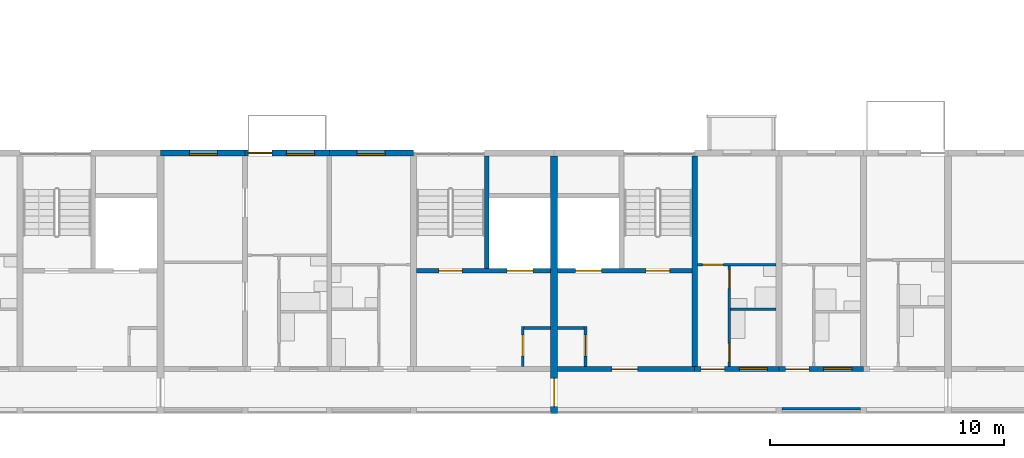
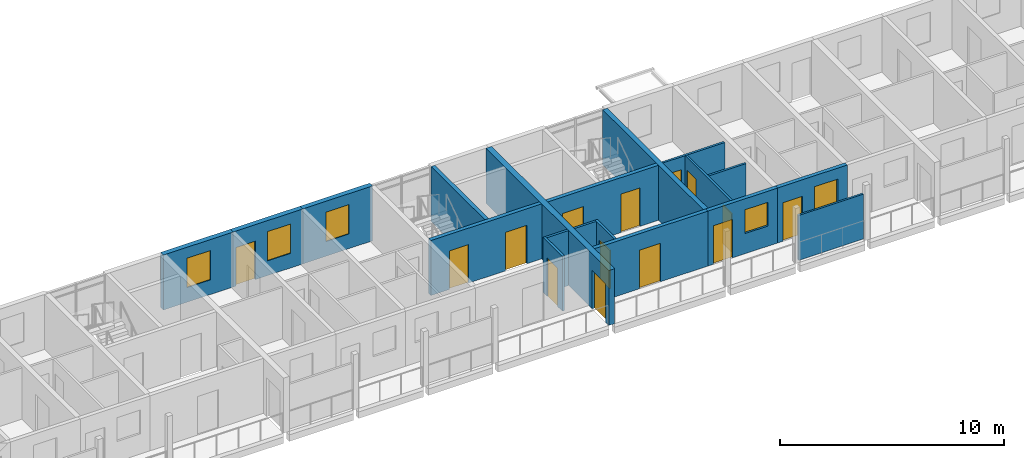
# One storey, part 30 of 99: 19 walls, 14 doors, 5 windows, 19 openings.
"""IFC4 building model written with IfcOpenShell, lengths in metres."""

from ifc_helpers import new_model, si_unit, direction, frame, frame_2d, origin, place, context, subcontext, project, spatial, rectangle, extrude, material, layer, layer_set, type_object, element, fill, save


model = new_model("IFC4")

# Units and contexts
model_context = context("Model", 3, precision=1e-05, world=origin(), true_north=direction((0.0, 1.0)))
body_context = subcontext(model_context, "Body", "Model", "MODEL_VIEW")
ifc_project = project(units=[si_unit("LENGTHUNIT", "METRE"), si_unit("AREAUNIT", "SQUARE_METRE"), si_unit("VOLUMEUNIT", "CUBIC_METRE"), si_unit("PLANEANGLEUNIT", "RADIAN"), si_unit("MASSUNIT", "GRAM", prefix="KILO")], contexts=[model_context])

# Site, building, storey
site_placement = place(None, origin())
site = spatial("IfcSite", under=ifc_project, at=site_placement, CompositionType="ELEMENT")
building_placement = place(site_placement, origin())
building = spatial("IfcBuilding", under=site, at=building_placement, Name="Ridgestep Commons", CompositionType="ELEMENT")
storey_placement = place(building_placement, frame((0.0, 0.0, 15.0)))
storey = spatial("IfcBuildingStorey", under=building, at=storey_placement, Name="L05", CompositionType="ELEMENT", Elevation=15.0)

# Wall
ifc_material_1 = material(Name="Concrete C30/37", Category="concrete")
ifc_layer_1 = layer(ifc_material_1, 0.25)
ifc_layer_set_1 = layer_set([ifc_layer_1], Name="Core cross wall 250")
wall_type_1 = type_object("IfcWallType", Name="Core cross wall 250", PredefinedType="SHEAR", material=ifc_layer_set_1)
wall_1_placement = place(storey_placement, frame((51.60009765625, 13.75, 0.0), z_axis=(0.0, 0.0, 1.0), x_axis=(0.0, 1.0, 0.0)))
element("IfcWall", 1, at=wall_1_placement, inside=storey, type_object=wall_type_1, Name="Cross wall A-05-0516", PredefinedType="SHEAR", context=body_context, shape_type="SweptSolid", body=[
    extrude(rectangle(XDim=9.0, YDim=0.25, at=frame_2d((4.5, 0.0))), origin(), (0.0, 0.0, 1.0), 3.0),
])

# Wall, opening, door
ifc_material_2 = material(Name="Concrete C30/37", Category="concrete")
ifc_layer_2 = layer(ifc_material_2, 0.199951171875)
ifc_layer_set_2 = layer_set([ifc_layer_2], Name="Core south wall 200")
wall_type_2 = type_object("IfcWallType", Name="Core south wall 200", PredefinedType="SHEAR", material=ifc_layer_set_2)
wall_2_placement = place(storey_placement, frame((45.75, 13.64990234375, 0.0), z_axis=(0.0, 0.0, 1.0), x_axis=(1.0, 0.0, 0.0)))
wall_2 = element("IfcWall", 2, at=wall_2_placement, inside=storey, type_object=wall_type_2, Name="Core south wall A3C L05", PredefinedType="SHEAR", context=body_context, shape_type="SweptSolid", body=[
    extrude(rectangle(XDim=5.85009765625, YDim=0.199951171875, at=frame_2d((2.925048828125, 0.0))), origin(), (0.0, 0.0, 1.0), 3.0),
])
opening_1_placement = place(wall_2_placement, frame((2.3125, 0.0, 0.0)))
opening_1 = element("IfcOpeningElement", 3, at=opening_1_placement, cuts=wall_2, Name="Opening A3C/05/1", PredefinedType="OPENING", context=body_context, shape_type="SweptSolid", body=[
    extrude(rectangle(XDim=1.10009765625, YDim=2.10009765625, at=frame_2d((0.550048828125, 1.050048828125))), frame((0.0, 0.10986328125, 0.0), z_axis=(0.0, -1.0, 0.0), x_axis=(1.0, 0.0, 0.0)), (0.0, 0.0, 1.0), 0.219970703125),
])
ifc_material_3 = material(Name="Steel fire door", Category="steel")
door_type_1 = type_object("IfcDoorType", Name="Lobby door 1100 x 2100 FD60", OperationType="NOTDEFINED", PredefinedType="DOOR", material=ifc_material_3)
door_1_placement = place(opening_1_placement, origin())
door_1 = element("IfcDoor", 4, at=door_1_placement, inside=storey, type_object=door_type_1, Name="Lobby door A3C/05/1", OperationType="SINGLE_SWING_LEFT", OverallHeight=2.10009765625, OverallWidth=1.10009765625, PredefinedType="DOOR", context=body_context, shape_type="SweptSolid", body=[
    extrude(rectangle(XDim=1.10009765625, YDim=2.10009765625, at=frame_2d((0.550048828125, 1.050048828125))), frame((0.0, 0.02490234375, 0.0), z_axis=(0.0, -1.0, 0.0), x_axis=(1.0, 0.0, 0.0)), (0.0, 0.0, 1.0), 0.050048828125),
])
fill(opening_1, door_1)

ifc_material_4 = material(Name="Concrete C30/37", Category="concrete")
ifc_layer_3 = layer(ifc_material_4, 0.1201171875)
ifc_layer_set_3 = layer_set([ifc_layer_3], Name="Core wall 120")
wall_type_3 = type_object("IfcWallType", Name="Core wall 120", PredefinedType="SHEAR", material=ifc_layer_set_3)
wall_3_placement = place(storey_placement, frame((44.260009765625, 13.75, 0.0), z_axis=(0.0, 0.0, 1.0), x_axis=(0.0, 1.0, 0.0)))
wall_3 = element("IfcWall", 5, at=wall_3_placement, inside=storey, type_object=wall_type_3, Name="Core riser w wall A2C L05", PredefinedType="SHEAR", context=body_context, shape_type="SweptSolid", body=[
    extrude(rectangle(XDim=1.719970703125, YDim=0.1201171875, at=frame_2d((0.85986328125, 0.0))), origin(), (0.0, 0.0, 1.0), 3.0),
])
opening_2_placement = place(wall_3_placement, frame((0.449951171875, 0.0, 0.0)))
opening_2 = element("IfcOpeningElement", 6, at=opening_2_placement, cuts=wall_3, Name="Opening A2C/05/4", PredefinedType="OPENING", context=body_context, shape_type="SweptSolid", body=[
    extrude(rectangle(XDim=0.89990234375, YDim=2.10009765625, at=frame_2d((0.449951171875, 1.050048828125))), frame((0.0, 0.070068359375, 0.0), z_axis=(0.0, -1.0, 0.0), x_axis=(1.0, 0.0, 0.0)), (0.0, 0.0, 1.0), 0.14013671875),
])
ifc_material_5 = material(Name="Steel fire door", Category="steel")
door_type_2 = type_object("IfcDoorType", Name="Riser door 900 x 2100 FD60", OperationType="NOTDEFINED", PredefinedType="DOOR", material=ifc_material_5)
door_2_placement = place(opening_2_placement, origin())
door_2 = element("IfcDoor", 7, at=door_2_placement, inside=storey, type_object=door_type_2, Name="Riser door A2C/05/4", OperationType="SINGLE_SWING_LEFT", OverallHeight=2.10009765625, OverallWidth=0.89990234375, PredefinedType="DOOR", context=body_context, shape_type="SweptSolid", body=[
    extrude(rectangle(XDim=0.89990234375, YDim=2.10009765625, at=frame_2d((0.449951171875, 1.050048828125))), frame((0.0, 0.02490234375, 0.0), z_axis=(0.0, -1.0, 0.0), x_axis=(1.0, 0.0, 0.0)), (0.0, 0.0, 1.0), 0.050048828125),
])
fill(opening_2, door_2)

# Wall
wall_4_placement = place(storey_placement, frame((44.320068359375, 15.409912109375, 0.0), z_axis=(0.0, 0.0, 1.0), x_axis=(1.0, 0.0, 0.0)))
element("IfcWall", 8, at=wall_4_placement, inside=storey, type_object=wall_type_3, Name="Core riser n wall A2C L05", PredefinedType="SHEAR", context=body_context, shape_type="SweptSolid", body=[
    extrude(rectangle(XDim=1.1298828125, YDim=0.1201171875, at=frame_2d((0.56494140625, 0.0))), origin(), (0.0, 0.0, 1.0), 3.0),
])

# Wall, opening, door
wall_5_placement = place(storey_placement, frame((46.93994140625, 13.75, 0.0), z_axis=(0.0, 0.0, 1.0), x_axis=(0.0, 1.0, 0.0)))
wall_5 = element("IfcWall", 9, at=wall_5_placement, inside=storey, type_object=wall_type_3, Name="Core riser w wall A3C L05", PredefinedType="SHEAR", context=body_context, shape_type="SweptSolid", body=[
    extrude(rectangle(XDim=1.719970703125, YDim=0.1201171875, at=frame_2d((0.85986328125, 0.0))), origin(), (0.0, 0.0, 1.0), 3.0),
])
opening_3_placement = place(wall_5_placement, frame((0.449951171875, 0.0, 0.0)))
opening_3 = element("IfcOpeningElement", 10, at=opening_3_placement, cuts=wall_5, Name="Opening A3C/05/4", PredefinedType="OPENING", context=body_context, shape_type="SweptSolid", body=[
    extrude(rectangle(XDim=0.89990234375, YDim=2.10009765625, at=frame_2d((0.449951171875, 1.050048828125))), frame((0.0, 0.070068359375, 0.0), z_axis=(0.0, -1.0, 0.0), x_axis=(1.0, 0.0, 0.0)), (0.0, 0.0, 1.0), 0.14013671875),
])
door_3_placement = place(opening_3_placement, origin())
door_3 = element("IfcDoor", 11, at=door_3_placement, inside=storey, type_object=door_type_2, Name="Riser door A3C/05/4", OperationType="SINGLE_SWING_RIGHT", OverallHeight=2.10009765625, OverallWidth=0.89990234375, PredefinedType="DOOR", context=body_context, shape_type="SweptSolid", body=[
    extrude(rectangle(XDim=0.89990234375, YDim=2.10009765625, at=frame_2d((0.449951171875, 1.050048828125))), frame((0.0, 0.02490234375, 0.0), z_axis=(0.0, -1.0, 0.0), x_axis=(1.0, 0.0, 0.0)), (0.0, 0.0, 1.0), 0.050048828125),
])
fill(opening_3, door_3)

# Wall
wall_6_placement = place(storey_placement, frame((45.75, 15.409912109375, 0.0), z_axis=(0.0, 0.0, 1.0), x_axis=(1.0, 0.0, 0.0)))
element("IfcWall", 12, at=wall_6_placement, inside=storey, type_object=wall_type_3, Name="Core riser n wall A3C L05", PredefinedType="SHEAR", context=body_context, shape_type="SweptSolid", body=[
    extrude(rectangle(XDim=1.1298828125, YDim=0.1201171875, at=frame_2d((0.56494140625, 0.0))), origin(), (0.0, 0.0, 1.0), 3.0),
])

# Wall, openings, doors
ifc_material_6 = material(Name="Concrete C30/37", Category="concrete")
ifc_layer_4 = layer(ifc_material_6, 0.199951171875)
ifc_layer_set_4 = layer_set([ifc_layer_4], Name="Core wall 200")
wall_type_4 = type_object("IfcWallType", Name="Core wall 200", PredefinedType="SHEAR", material=ifc_layer_set_4)
wall_7_placement = place(storey_placement, frame((39.72509765625, 17.85009765625, 0.0), z_axis=(0.0, 0.0, 1.0), x_axis=(1.0, 0.0, 0.0)))
wall_7 = element("IfcWall", 13, at=wall_7_placement, inside=storey, type_object=wall_type_4, Name="Core lobby wall A2C L05", PredefinedType="SHEAR", context=body_context, shape_type="SweptSolid", body=[
    extrude(rectangle(XDim=5.724853515625, YDim=0.199951171875, at=frame_2d((2.8623046875, 0.0))), origin(), (0.0, 0.0, 1.0), 3.0),
])
opening_4_placement = place(wall_7_placement, frame((0.949951171875, 0.0, 0.0)))
opening_4 = element("IfcOpeningElement", 14, at=opening_4_placement, cuts=wall_7, Name="Opening A2C/05/2", PredefinedType="OPENING", context=body_context, shape_type="SweptSolid", body=[
    extrude(rectangle(XDim=1.0, YDim=2.10009765625, at=frame_2d((0.5, 1.050048828125))), frame((0.0, 0.10986328125, 0.0), z_axis=(0.0, -1.0, 0.0), x_axis=(1.0, 0.0, 0.0)), (0.0, 0.0, 1.0), 0.219970703125),
])
opening_5_placement = place(wall_7_placement, frame((3.862548828125, 0.0, 0.0)))
opening_5 = element("IfcOpeningElement", 15, at=opening_5_placement, cuts=wall_7, Name="Opening A2C/05/3", PredefinedType="OPENING", context=body_context, shape_type="SweptSolid", body=[
    extrude(rectangle(XDim=1.10009765625, YDim=2.10009765625, at=frame_2d((0.550048828125, 1.050048828125))), frame((0.0, 0.10986328125, 0.0), z_axis=(0.0, -1.0, 0.0), x_axis=(1.0, 0.0, 0.0)), (0.0, 0.0, 1.0), 0.219970703125),
])
ifc_material_7 = material(Name="Stainless steel", Category="steel")
door_type_3 = type_object("IfcDoorType", Name="Lift landing door 1100 x 2100 FD60", OperationType="DOUBLE_DOOR_SLIDING", PredefinedType="DOOR", material=ifc_material_7)
door_4_placement = place(opening_5_placement, origin())
door_4 = element("IfcDoor", 16, at=door_4_placement, inside=storey, type_object=door_type_3, Name="Landing door LD A2C L05", OperationType="DOUBLE_DOOR_SLIDING", OverallHeight=2.10009765625, OverallWidth=1.10009765625, PredefinedType="DOOR", context=body_context, shape_type="SweptSolid", body=[
    extrude(rectangle(XDim=1.10009765625, YDim=2.10009765625, at=frame_2d((0.550048828125, 1.050048828125))), frame((0.0, 0.02490234375, 0.0), z_axis=(0.0, -1.0, 0.0), x_axis=(1.0, 0.0, 0.0)), (0.0, 0.0, 1.0), 0.050048828125),
])
fill(opening_5, door_4)
ifc_material_8 = material(Name="Steel fire door", Category="steel")
door_type_4 = type_object("IfcDoorType", Name="Stair door 1000 x 2100 FD60", OperationType="NOTDEFINED", PredefinedType="DOOR", material=ifc_material_8)
door_5_placement = place(opening_4_placement, origin())
door_5 = element("IfcDoor", 17, at=door_5_placement, inside=storey, type_object=door_type_4, Name="Stair door A2C/05/2", OperationType="SINGLE_SWING_RIGHT", OverallHeight=2.10009765625, OverallWidth=1.0, PredefinedType="DOOR", context=body_context, shape_type="SweptSolid", body=[
    extrude(rectangle(XDim=1.0, YDim=2.10009765625, at=frame_2d((0.5, 1.050048828125))), frame((0.0, 0.02490234375, 0.0), z_axis=(0.0, -1.0, 0.0), x_axis=(1.0, 0.0, 0.0)), (0.0, 0.0, 1.0), 0.050048828125),
])
fill(opening_4, door_5)

# Wall
wall_8_placement = place(storey_placement, frame((42.72509765625, 17.949951171875, 0.0), z_axis=(0.0, 0.0, 1.0), x_axis=(0.0, 1.0, 0.0)))
element("IfcWall", 18, at=wall_8_placement, inside=storey, type_object=wall_type_4, Name="Core stair wall A2C L05", PredefinedType="SHEAR", context=body_context, shape_type="SweptSolid", body=[
    extrude(rectangle(XDim=4.800048828125, YDim=0.199951171875, at=frame_2d((2.39990234375, 0.0))), origin(), (0.0, 0.0, 1.0), 3.0),
])

# Wall, openings, doors
wall_9_placement = place(storey_placement, frame((45.75, 17.85009765625, 0.0), z_axis=(0.0, 0.0, 1.0), x_axis=(1.0, 0.0, 0.0)))
wall_9 = element("IfcWall", 19, at=wall_9_placement, inside=storey, type_object=wall_type_4, Name="Core lobby wall A3C L05", PredefinedType="SHEAR", context=body_context, shape_type="SweptSolid", body=[
    extrude(rectangle(XDim=5.72509765625, YDim=0.199951171875, at=frame_2d((2.862548828125, 0.0))), origin(), (0.0, 0.0, 1.0), 3.0),
])
opening_6_placement = place(wall_9_placement, frame((3.77490234375, 0.0, 0.0)))
opening_6 = element("IfcOpeningElement", 20, at=opening_6_placement, cuts=wall_9, Name="Opening A3C/05/2", PredefinedType="OPENING", context=body_context, shape_type="SweptSolid", body=[
    extrude(rectangle(XDim=1.0, YDim=2.10009765625, at=frame_2d((0.5, 1.050048828125))), frame((0.0, 0.10986328125, 0.0), z_axis=(0.0, -1.0, 0.0), x_axis=(1.0, 0.0, 0.0)), (0.0, 0.0, 1.0), 0.219970703125),
])
opening_7_placement = place(wall_9_placement, frame((0.762451171875, 0.0, 0.0)))
opening_7 = element("IfcOpeningElement", 21, at=opening_7_placement, cuts=wall_9, Name="Opening A3C/05/3", PredefinedType="OPENING", context=body_context, shape_type="SweptSolid", body=[
    extrude(rectangle(XDim=1.10009765625, YDim=2.10009765625, at=frame_2d((0.550048828125, 1.050048828125))), frame((0.0, 0.10986328125, 0.0), z_axis=(0.0, -1.0, 0.0), x_axis=(1.0, 0.0, 0.0)), (0.0, 0.0, 1.0), 0.219970703125),
])
door_6_placement = place(opening_7_placement, origin())
door_6 = element("IfcDoor", 22, at=door_6_placement, inside=storey, type_object=door_type_3, Name="Landing door LD A3C L05", OperationType="DOUBLE_DOOR_SLIDING", OverallHeight=2.10009765625, OverallWidth=1.10009765625, PredefinedType="DOOR", context=body_context, shape_type="SweptSolid", body=[
    extrude(rectangle(XDim=1.10009765625, YDim=2.10009765625, at=frame_2d((0.550048828125, 1.050048828125))), frame((0.0, 0.02490234375, 0.0), z_axis=(0.0, -1.0, 0.0), x_axis=(1.0, 0.0, 0.0)), (0.0, 0.0, 1.0), 0.050048828125),
])
fill(opening_7, door_6)
door_7_placement = place(opening_6_placement, origin())
door_7 = element("IfcDoor", 23, at=door_7_placement, inside=storey, type_object=door_type_4, Name="Stair door A3C/05/2", OperationType="SINGLE_SWING_RIGHT", OverallHeight=2.10009765625, OverallWidth=1.0, PredefinedType="DOOR", context=body_context, shape_type="SweptSolid", body=[
    extrude(rectangle(XDim=1.0, YDim=2.10009765625, at=frame_2d((0.5, 1.050048828125))), frame((0.0, 0.02490234375, 0.0), z_axis=(0.0, -1.0, 0.0), x_axis=(1.0, 0.0, 0.0)), (0.0, 0.0, 1.0), 0.050048828125),
])
fill(opening_6, door_7)

# Wall, opening, door
ifc_material_9 = material(Name="Precast concrete C40/50", Category="concrete")
ifc_layer_5 = layer(ifc_material_9, 0.300048828125)
ifc_layer_set_5 = layer_set([ifc_layer_5], Name="Division wall 300")
wall_type_5 = type_object("IfcWallType", Name="Division wall 300", PredefinedType="SHEAR", material=ifc_layer_set_5)
wall_10_placement = place(storey_placement, frame((45.60009765625, 11.75, 0.0), z_axis=(0.0, 0.0, 1.0), x_axis=(0.0, 1.0, 0.0)))
wall_10 = element("IfcWall", 24, at=wall_10_placement, inside=storey, type_object=wall_type_5, Name="Cross wall A-05-0456", PredefinedType="SHEAR", context=body_context, shape_type="SweptSolid", body=[
    extrude(rectangle(XDim=11.0, YDim=0.300048828125, at=frame_2d((5.5, 0.0))), origin(), (0.0, 0.0, 1.0), 3.0),
])
opening_8_placement = place(wall_10_placement, frame((0.300048828125, 0.0, 0.0)))
opening_8 = element("IfcOpeningElement", 25, at=opening_8_placement, cuts=wall_10, Name="Opening A/05/G0456", PredefinedType="OPENING", context=body_context, shape_type="SweptSolid", body=[
    extrude(rectangle(XDim=1.199951171875, YDim=2.10009765625, at=frame_2d((0.60009765625, 1.050048828125))), frame((0.0, 0.159912109375, 0.0), z_axis=(0.0, -1.0, 0.0), x_axis=(1.0, 0.0, 0.0)), (0.0, 0.0, 1.0), 0.320068359375),
])
ifc_material_10 = material(Name="Steel fire door", Category="steel")
door_type_5 = type_object("IfcDoorType", Name="Division fire door 1200 x 2100 EI 240", OperationType="DOUBLE_DOOR_SINGLE_SWING", PredefinedType="DOOR", material=ifc_material_10)
door_8_placement = place(opening_8_placement, origin())
door_8 = element("IfcDoor", 26, at=door_8_placement, inside=storey, type_object=door_type_5, Name="Division fire door A/05/G0456", OperationType="DOUBLE_DOOR_SINGLE_SWING", OverallHeight=2.10009765625, OverallWidth=1.199951171875, PredefinedType="DOOR", context=body_context, shape_type="SweptSolid", body=[
    extrude(rectangle(XDim=1.199951171875, YDim=2.10009765625, at=frame_2d((0.60009765625, 1.050048828125))), frame((0.0, 0.02490234375, 0.0), z_axis=(0.0, -1.0, 0.0), x_axis=(1.0, 0.0, 0.0)), (0.0, 0.0, 1.0), 0.050048828125),
])
fill(opening_8, door_8)

# Wall, opening, window
ifc_material_11 = material(Name="Precast concrete C40/50", Category="concrete")
ifc_layer_6 = layer(ifc_material_11, 0.25)
ifc_layer_set_6 = layer_set([ifc_layer_6], Name="North facade panel 250")
wall_type_6 = type_object("IfcWallType", Name="North facade panel 250", PredefinedType="SOLIDWALL", material=ifc_layer_set_6)
wall_11_placement = place(storey_placement, frame((28.800048828125, 22.875, 0.0), z_axis=(0.0, 0.0, 1.0), x_axis=(1.0, 0.0, 0.0)))
wall_11 = element("IfcWall", 27, at=wall_11_placement, inside=storey, type_object=wall_type_6, Name="North panel A2T1 L05", PredefinedType="SOLIDWALL", context=body_context, shape_type="SweptSolid", body=[
    extrude(rectangle(XDim=3.599853515625, YDim=0.25, at=frame_2d((1.7998046875, 0.0))), origin(), (0.0, 0.0, 1.0), 3.0),
])
opening_9_placement = place(wall_11_placement, frame((1.22509765625, 0.0, 0.800048828125)))
opening_9 = element("IfcOpeningElement", 28, at=opening_9_placement, cuts=wall_11, Name="Opening W11", PredefinedType="OPENING", context=body_context, shape_type="SweptSolid", body=[
    extrude(rectangle(XDim=1.199951171875, YDim=1.60009765625, at=frame_2d((0.60009765625, 0.800048828125))), frame((0.0, 0.135009765625, 0.0), z_axis=(0.0, -1.0, 0.0), x_axis=(1.0, 0.0, 0.0)), (0.0, 0.0, 1.0), 0.27001953125),
])
ifc_material_12 = material(Name="Aluminium 6063-T6 and glass", Category="aluminium")
window_type_1 = type_object("IfcWindowType", Name="Flat window 1200 x 1600", PartitioningType="SINGLE_PANEL", PredefinedType="WINDOW", material=ifc_material_12)
window_1_placement = place(opening_9_placement, origin())
window_1 = element("IfcWindow", 29, at=window_1_placement, inside=storey, type_object=window_type_1, Name="Window A2-05a 2", OverallHeight=1.60009765625, OverallWidth=1.199951171875, PartitioningType="SINGLE_PANEL", PredefinedType="WINDOW", context=body_context, shape_type="SweptSolid", body=[
    extrude(rectangle(XDim=1.199951171875, YDim=1.60009765625, at=frame_2d((0.60009765625, 0.800048828125))), frame((0.0, -0.02490234375, 0.0), z_axis=(0.0, -1.0, 0.0), x_axis=(1.0, 0.0, 0.0)), (0.0, 0.0, 1.0), 0.06005859375),
])
fill(opening_9, window_1)

# Wall, openings, door, window
wall_12_placement = place(storey_placement, frame((32.39990234375, 22.875, 0.0), z_axis=(0.0, 0.0, 1.0), x_axis=(1.0, 0.0, 0.0)))
wall_12 = element("IfcWall", 30, at=wall_12_placement, inside=storey, type_object=wall_type_6, Name="North panel A2T2 L05", PredefinedType="SOLIDWALL", context=body_context, shape_type="SweptSolid", body=[
    extrude(rectangle(XDim=3.60009765625, YDim=0.25, at=frame_2d((1.800048828125, 0.0))), origin(), (0.0, 0.0, 1.0), 3.0),
])
opening_10_placement = place(wall_12_placement, frame((1.77490234375, 0.0, 0.800048828125)))
opening_10 = element("IfcOpeningElement", 31, at=opening_10_placement, cuts=wall_12, Name="Opening W11", PredefinedType="OPENING", context=body_context, shape_type="SweptSolid", body=[
    extrude(rectangle(XDim=1.199951171875, YDim=1.60009765625, at=frame_2d((0.60009765625, 0.800048828125))), frame((0.0, 0.135009765625, 0.0), z_axis=(0.0, -1.0, 0.0), x_axis=(1.0, 0.0, 0.0)), (0.0, 0.0, 1.0), 0.27001953125),
])
opening_11_placement = place(wall_12_placement, frame((0.14990234375, 0.0, 0.0)))
opening_11 = element("IfcOpeningElement", 32, at=opening_11_placement, cuts=wall_12, Name="Opening A2-05a/7", PredefinedType="OPENING", context=body_context, shape_type="SweptSolid", body=[
    extrude(rectangle(XDim=1.0, YDim=2.10009765625, at=frame_2d((0.5, 1.050048828125))), frame((0.0, 0.135009765625, 0.0), z_axis=(0.0, -1.0, 0.0), x_axis=(1.0, 0.0, 0.0)), (0.0, 0.0, 1.0), 0.27001953125),
])
ifc_material_13 = material(Name="Aluminium and glass", Category="aluminium")
door_type_6 = type_object("IfcDoorType", Name="Balcony door 1000 x 2100", OperationType="NOTDEFINED", PredefinedType="DOOR", material=ifc_material_13)
door_9_placement = place(opening_11_placement, origin())
door_9 = element("IfcDoor", 33, at=door_9_placement, inside=storey, type_object=door_type_6, Name="Balcony door A2-05a/7", OperationType="SINGLE_SWING_RIGHT", OverallHeight=2.10009765625, OverallWidth=1.0, PredefinedType="DOOR", context=body_context, shape_type="SweptSolid", body=[
    extrude(rectangle(XDim=1.0, YDim=2.10009765625, at=frame_2d((0.5, 1.050048828125))), frame((0.0, 0.02490234375, 0.0), z_axis=(0.0, -1.0, 0.0), x_axis=(1.0, 0.0, 0.0)), (0.0, 0.0, 1.0), 0.050048828125),
])
fill(opening_11, door_9)
window_2_placement = place(opening_10_placement, origin())
window_2 = element("IfcWindow", 34, at=window_2_placement, inside=storey, type_object=window_type_1, Name="Window A2-05a 4", OverallHeight=1.60009765625, OverallWidth=1.199951171875, PartitioningType="SINGLE_PANEL", PredefinedType="WINDOW", context=body_context, shape_type="SweptSolid", body=[
    extrude(rectangle(XDim=1.199951171875, YDim=1.60009765625, at=frame_2d((0.60009765625, 0.800048828125))), frame((0.0, -0.02490234375, 0.0), z_axis=(0.0, -1.0, 0.0), x_axis=(1.0, 0.0, 0.0)), (0.0, 0.0, 1.0), 0.06005859375),
])
fill(opening_10, window_2)

# Wall, opening, window
wall_13_placement = place(storey_placement, frame((36.0, 22.875, 0.0), z_axis=(0.0, 0.0, 1.0), x_axis=(1.0, 0.0, 0.0)))
wall_13 = element("IfcWall", 35, at=wall_13_placement, inside=storey, type_object=wall_type_6, Name="North panel A2T3 L05", PredefinedType="SOLIDWALL", context=body_context, shape_type="SweptSolid", body=[
    extrude(rectangle(XDim=3.60009765625, YDim=0.25, at=frame_2d((1.800048828125, 0.0))), origin(), (0.0, 0.0, 1.0), 3.0),
])
opening_12_placement = place(wall_13_placement, frame((1.1875, 0.0, 0.800048828125)))
opening_12 = element("IfcOpeningElement", 36, at=opening_12_placement, cuts=wall_13, Name="Opening W11", PredefinedType="OPENING", context=body_context, shape_type="SweptSolid", body=[
    extrude(rectangle(XDim=1.199951171875, YDim=1.60009765625, at=frame_2d((0.60009765625, 0.800048828125))), frame((0.0, 0.135009765625, 0.0), z_axis=(0.0, -1.0, 0.0), x_axis=(1.0, 0.0, 0.0)), (0.0, 0.0, 1.0), 0.27001953125),
])
window_3_placement = place(opening_12_placement, origin())
window_3 = element("IfcWindow", 37, at=window_3_placement, inside=storey, type_object=window_type_1, Name="Window A2-05b 2", OverallHeight=1.60009765625, OverallWidth=1.199951171875, PartitioningType="SINGLE_PANEL", PredefinedType="WINDOW", context=body_context, shape_type="SweptSolid", body=[
    extrude(rectangle(XDim=1.199951171875, YDim=1.60009765625, at=frame_2d((0.60009765625, 0.800048828125))), frame((0.0, -0.02490234375, 0.0), z_axis=(0.0, -1.0, 0.0), x_axis=(1.0, 0.0, 0.0)), (0.0, 0.0, 1.0), 0.06005859375),
])
fill(opening_12, window_3)

# Wall, openings, doors
ifc_material_14 = material(Name="Common brick 110 mm", Category="masonry")
ifc_layer_7 = layer(ifc_material_14, 0.110107421875)
ifc_layer_set_7 = layer_set([ifc_layer_7], Name="Partition 110")
wall_type_7 = type_object("IfcWallType", Name="Partition 110", PredefinedType="PARTITIONING", material=ifc_layer_set_7)
wall_14_placement = place(storey_placement, frame((53.080078125, 13.75, 0.0), z_axis=(0.0, 0.0, 1.0), x_axis=(0.0, 1.0, 0.0)))
wall_14 = element("IfcWall", 38, at=wall_14_placement, inside=storey, type_object=wall_type_7, Name="Partition A3-05c", PredefinedType="PARTITIONING", context=body_context, shape_type="SweptSolid", body=[
    extrude(rectangle(XDim=4.300048828125, YDim=0.110107421875, at=frame_2d((2.14990234375, 0.0))), origin(), (0.0, 0.0, 1.0), 2.800048828125),
])
opening_13_placement = place(wall_14_placement, frame((0.199951171875, 0.0, 0.0)))
opening_13 = element("IfcOpeningElement", 39, at=opening_13_placement, cuts=wall_14, Name="Opening A3-05c/2", PredefinedType="OPENING", context=body_context, shape_type="SweptSolid", body=[
    extrude(rectangle(XDim=0.800048828125, YDim=2.10009765625, at=frame_2d((0.39990234375, 1.050048828125))), frame((0.0, 0.06494140625, 0.0), z_axis=(0.0, -1.0, 0.0), x_axis=(1.0, 0.0, 0.0)), (0.0, 0.0, 1.0), 0.130126953125),
])
opening_14_placement = place(wall_14_placement, frame((3.35009765625, 0.0, 0.0)))
opening_14 = element("IfcOpeningElement", 40, at=opening_14_placement, cuts=wall_14, Name="Opening A3-05c/3", PredefinedType="OPENING", context=body_context, shape_type="SweptSolid", body=[
    extrude(rectangle(XDim=0.800048828125, YDim=2.10009765625, at=frame_2d((0.39990234375, 1.050048828125))), frame((0.0, 0.06494140625, 0.0), z_axis=(0.0, -1.0, 0.0), x_axis=(1.0, 0.0, 0.0)), (0.0, 0.0, 1.0), 0.130126953125),
])
ifc_material_15 = material(Name="Timber door leaf", Category="wood")
door_type_7 = type_object("IfcDoorType", Name="Internal door 800 x 2100", OperationType="NOTDEFINED", PredefinedType="DOOR", material=ifc_material_15)
door_10_placement = place(opening_13_placement, origin())
door_10 = element("IfcDoor", 41, at=door_10_placement, inside=storey, type_object=door_type_7, Name="Internal door A3-05c/2", OperationType="SINGLE_SWING_RIGHT", OverallHeight=2.10009765625, OverallWidth=0.800048828125, PredefinedType="DOOR", context=body_context, shape_type="SweptSolid", body=[
    extrude(rectangle(XDim=0.800048828125, YDim=2.10009765625, at=frame_2d((0.39990234375, 1.050048828125))), frame((0.0, 0.02490234375, 0.0), z_axis=(0.0, -1.0, 0.0), x_axis=(1.0, 0.0, 0.0)), (0.0, 0.0, 1.0), 0.050048828125),
])
fill(opening_13, door_10)
door_11_placement = place(opening_14_placement, origin())
door_11 = element("IfcDoor", 42, at=door_11_placement, inside=storey, type_object=door_type_7, Name="Internal door A3-05c/3", OperationType="SINGLE_SWING_LEFT", OverallHeight=2.10009765625, OverallWidth=0.800048828125, PredefinedType="DOOR", context=body_context, shape_type="SweptSolid", body=[
    extrude(rectangle(XDim=0.800048828125, YDim=2.10009765625, at=frame_2d((0.39990234375, 1.050048828125))), frame((0.0, 0.02490234375, 0.0), z_axis=(0.0, -1.0, 0.0), x_axis=(1.0, 0.0, 0.0)), (0.0, 0.0, 1.0), 0.050048828125),
])
fill(opening_14, door_11)

# Wall
wall_15_placement = place(storey_placement, frame((53.135009765625, 16.205078125, 0.0), z_axis=(0.0, 0.0, 1.0), x_axis=(1.0, 0.0, 0.0)))
element("IfcWall", 43, at=wall_15_placement, inside=storey, type_object=wall_type_7, Name="Partition A3-05c", PredefinedType="PARTITIONING", context=body_context, shape_type="SweptSolid", body=[
    extrude(rectangle(XDim=1.93994140625, YDim=0.110107421875, at=frame_2d((0.969970703125, 0.0))), origin(), (0.0, 0.0, 1.0), 2.800048828125),
])

# Wall, opening, door
wall_16_placement = place(storey_placement, frame((51.72509765625, 18.10498046875, 0.0), z_axis=(0.0, 0.0, 1.0), x_axis=(1.0, 0.0, 0.0)))
wall_16 = element("IfcWall", 44, at=wall_16_placement, inside=storey, type_object=wall_type_7, Name="Partition A3-05c", PredefinedType="PARTITIONING", context=body_context, shape_type="SweptSolid", body=[
    extrude(rectangle(XDim=3.349853515625, YDim=0.110107421875, at=frame_2d((1.6748046875, 0.0))), origin(), (0.0, 0.0, 1.0), 2.800048828125),
])
opening_15_placement = place(wall_16_placement, frame((0.199951171875, 0.0, 0.0)))
opening_15 = element("IfcOpeningElement", 45, at=opening_15_placement, cuts=wall_16, Name="Opening A3-05c/4", PredefinedType="OPENING", context=body_context, shape_type="SweptSolid", body=[
    extrude(rectangle(XDim=0.89990234375, YDim=2.10009765625, at=frame_2d((0.449951171875, 1.050048828125))), frame((0.0, 0.06494140625, 0.0), z_axis=(0.0, -1.0, 0.0), x_axis=(1.0, 0.0, 0.0)), (0.0, 0.0, 1.0), 0.130126953125),
])
ifc_material_16 = material(Name="Timber door leaf", Category="wood")
door_type_8 = type_object("IfcDoorType", Name="Internal door 900 x 2100", OperationType="NOTDEFINED", PredefinedType="DOOR", material=ifc_material_16)
door_12_placement = place(opening_15_placement, origin())
door_12 = element("IfcDoor", 46, at=door_12_placement, inside=storey, type_object=door_type_8, Name="Internal door A3-05c/4", OperationType="SINGLE_SWING_LEFT", OverallHeight=2.10009765625, OverallWidth=0.89990234375, PredefinedType="DOOR", context=body_context, shape_type="SweptSolid", body=[
    extrude(rectangle(XDim=0.89990234375, YDim=2.10009765625, at=frame_2d((0.449951171875, 1.050048828125))), frame((0.0, 0.02490234375, 0.0), z_axis=(0.0, -1.0, 0.0), x_axis=(1.0, 0.0, 0.0)), (0.0, 0.0, 1.0), 0.050048828125),
])
fill(opening_15, door_12)

# Wall
ifc_material_17 = material(Name="Precast concrete C30/37", Category="concrete")
ifc_layer_8 = layer(ifc_material_17, 0.10009765625)
ifc_layer_set_8 = layer_set([ifc_layer_8], Name="Perforated gallery screen 3350 x 2450 x 100")
wall_type_8 = type_object("IfcWallType", Name="Perforated gallery screen 3350 x 2450 x 100", PredefinedType="SOLIDWALL", material=ifc_layer_set_8)
wall_17_placement = place(storey_placement, frame((55.324951171875, 11.949951171875, 0.0), z_axis=(0.0, 0.0, 1.0), x_axis=(1.0, 0.0, 0.0)))
element("IfcWall", 47, at=wall_17_placement, inside=storey, type_object=wall_type_8, Name="Gallery screen A3T2 05", PredefinedType="SOLIDWALL", context=body_context, shape_type="SweptSolid", body=[
    extrude(rectangle(XDim=3.35009765625, YDim=0.10009765625, at=frame_2d((1.675048828125, 0.0))), origin(), (0.0, 0.0, 1.0), 2.449951171875),
])

# Wall, openings, door, window
ifc_material_18 = material(Name="Precast concrete C40/50", Category="concrete")
ifc_layer_9 = layer(ifc_material_18, 0.199951171875)
ifc_layer_set_9 = layer_set([ifc_layer_9], Name="South facade panel 200")
wall_type_9 = type_object("IfcWallType", Name="South facade panel 200", PredefinedType="SOLIDWALL", material=ifc_layer_set_9)
wall_18_placement = place(storey_placement, frame((51.60009765625, 13.64990234375, 0.0), z_axis=(0.0, 0.0, 1.0), x_axis=(1.0, 0.0, 0.0)))
wall_18 = element("IfcWall", 48, at=wall_18_placement, inside=storey, type_object=wall_type_9, Name="South panel A3T3 L05", PredefinedType="SOLIDWALL", context=body_context, shape_type="SweptSolid", body=[
    extrude(rectangle(XDim=3.599853515625, YDim=0.199951171875, at=frame_2d((1.7998046875, 0.0))), origin(), (0.0, 0.0, 1.0), 3.0),
])
opening_16_placement = place(wall_18_placement, frame((1.905029296875, 0.0, 1.10009765625)))
opening_16 = element("IfcOpeningElement", 49, at=opening_16_placement, cuts=wall_18, Name="Opening W08", PredefinedType="OPENING", context=body_context, shape_type="SweptSolid", body=[
    extrude(rectangle(XDim=1.199951171875, YDim=1.300048828125, at=frame_2d((0.60009765625, 0.64990234375))), frame((0.0, 0.10986328125, 0.0), z_axis=(0.0, -1.0, 0.0), x_axis=(1.0, 0.0, 0.0)), (0.0, 0.0, 1.0), 0.219970703125),
])
opening_17_placement = place(wall_18_placement, frame((0.27490234375, 0.0, 0.0)))
opening_17 = element("IfcOpeningElement", 50, at=opening_17_placement, cuts=wall_18, Name="Opening A3-05c/1", PredefinedType="OPENING", context=body_context, shape_type="SweptSolid", body=[
    extrude(rectangle(XDim=1.0, YDim=2.10009765625, at=frame_2d((0.5, 1.050048828125))), frame((0.0, 0.10986328125, 0.0), z_axis=(0.0, -1.0, 0.0), x_axis=(1.0, 0.0, 0.0)), (0.0, 0.0, 1.0), 0.219970703125),
])
ifc_material_19 = material(Name="Timber door leaf", Category="wood")
door_type_9 = type_object("IfcDoorType", Name="Flat entrance door 1000 x 2100 FD30S", OperationType="NOTDEFINED", PredefinedType="DOOR", material=ifc_material_19)
door_13_placement = place(opening_17_placement, origin())
door_13 = element("IfcDoor", 51, at=door_13_placement, inside=storey, type_object=door_type_9, Name="Flat entrance door A3-05c/1", OperationType="SINGLE_SWING_LEFT", OverallHeight=2.10009765625, OverallWidth=1.0, PredefinedType="DOOR", context=body_context, shape_type="SweptSolid", body=[
    extrude(rectangle(XDim=1.0, YDim=2.10009765625, at=frame_2d((0.5, 1.050048828125))), frame((0.0, 0.02490234375, 0.0), z_axis=(0.0, -1.0, 0.0), x_axis=(1.0, 0.0, 0.0)), (0.0, 0.0, 1.0), 0.050048828125),
])
fill(opening_17, door_13)
ifc_material_20 = material(Name="Aluminium 6063-T6 and glass", Category="aluminium")
window_type_2 = type_object("IfcWindowType", Name="Flat window 1200 x 1300", PartitioningType="SINGLE_PANEL", PredefinedType="WINDOW", material=ifc_material_20)
window_4_placement = place(opening_16_placement, origin())
window_4 = element("IfcWindow", 52, at=window_4_placement, inside=storey, type_object=window_type_2, Name="Window A3-05c 1", OverallHeight=1.300048828125, OverallWidth=1.199951171875, PartitioningType="SINGLE_PANEL", PredefinedType="WINDOW", context=body_context, shape_type="SweptSolid", body=[
    extrude(rectangle(XDim=1.199951171875, YDim=1.300048828125, at=frame_2d((0.60009765625, 0.64990234375))), frame((0.0, 0.06005859375, 0.0), z_axis=(0.0, -1.0, 0.0), x_axis=(1.0, 0.0, 0.0)), (0.0, 0.0, 1.0), 0.06005859375),
])
fill(opening_16, window_4)

wall_19_placement = place(storey_placement, frame((55.199951171875, 13.64990234375, 0.0), z_axis=(0.0, 0.0, 1.0), x_axis=(1.0, 0.0, 0.0)))
wall_19 = element("IfcWall", 53, at=wall_19_placement, inside=storey, type_object=wall_type_9, Name="South panel A3T2 L05", PredefinedType="SOLIDWALL", context=body_context, shape_type="SweptSolid", body=[
    extrude(rectangle(XDim=3.60009765625, YDim=0.199951171875, at=frame_2d((1.800048828125, 0.0))), origin(), (0.0, 0.0, 1.0), 3.0),
])
opening_18_placement = place(wall_19_placement, frame((1.905029296875, 0.0, 1.10009765625)))
opening_18 = element("IfcOpeningElement", 54, at=opening_18_placement, cuts=wall_19, Name="Opening W08", PredefinedType="OPENING", context=body_context, shape_type="SweptSolid", body=[
    extrude(rectangle(XDim=1.199951171875, YDim=1.300048828125, at=frame_2d((0.60009765625, 0.64990234375))), frame((0.0, 0.10986328125, 0.0), z_axis=(0.0, -1.0, 0.0), x_axis=(1.0, 0.0, 0.0)), (0.0, 0.0, 1.0), 0.219970703125),
])
opening_19_placement = place(wall_19_placement, frame((0.27490234375, 0.0, 0.0)))
opening_19 = element("IfcOpeningElement", 55, at=opening_19_placement, cuts=wall_19, Name="Opening A3-05b/1", PredefinedType="OPENING", context=body_context, shape_type="SweptSolid", body=[
    extrude(rectangle(XDim=1.0, YDim=2.10009765625, at=frame_2d((0.5, 1.050048828125))), frame((0.0, 0.10986328125, 0.0), z_axis=(0.0, -1.0, 0.0), x_axis=(1.0, 0.0, 0.0)), (0.0, 0.0, 1.0), 0.219970703125),
])
door_14_placement = place(opening_19_placement, origin())
door_14 = element("IfcDoor", 56, at=door_14_placement, inside=storey, type_object=door_type_9, Name="Flat entrance door A3-05b/1", OperationType="SINGLE_SWING_LEFT", OverallHeight=2.10009765625, OverallWidth=1.0, PredefinedType="DOOR", context=body_context, shape_type="SweptSolid", body=[
    extrude(rectangle(XDim=1.0, YDim=2.10009765625, at=frame_2d((0.5, 1.050048828125))), frame((0.0, 0.02490234375, 0.0), z_axis=(0.0, -1.0, 0.0), x_axis=(1.0, 0.0, 0.0)), (0.0, 0.0, 1.0), 0.050048828125),
])
fill(opening_19, door_14)
window_5_placement = place(opening_18_placement, origin())
window_5 = element("IfcWindow", 57, at=window_5_placement, inside=storey, type_object=window_type_2, Name="Window A3-05b 1", OverallHeight=1.300048828125, OverallWidth=1.199951171875, PartitioningType="SINGLE_PANEL", PredefinedType="WINDOW", context=body_context, shape_type="SweptSolid", body=[
    extrude(rectangle(XDim=1.199951171875, YDim=1.300048828125, at=frame_2d((0.60009765625, 0.64990234375))), frame((0.0, 0.06005859375, 0.0), z_axis=(0.0, -1.0, 0.0), x_axis=(1.0, 0.0, 0.0)), (0.0, 0.0, 1.0), 0.06005859375),
])
fill(opening_18, window_5)

save(model, "model.ifc")
